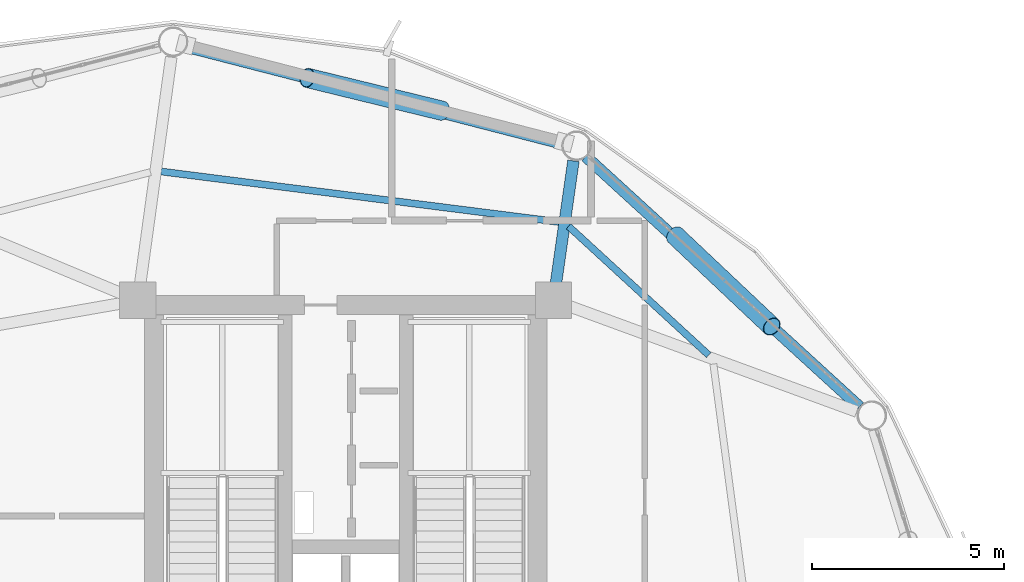
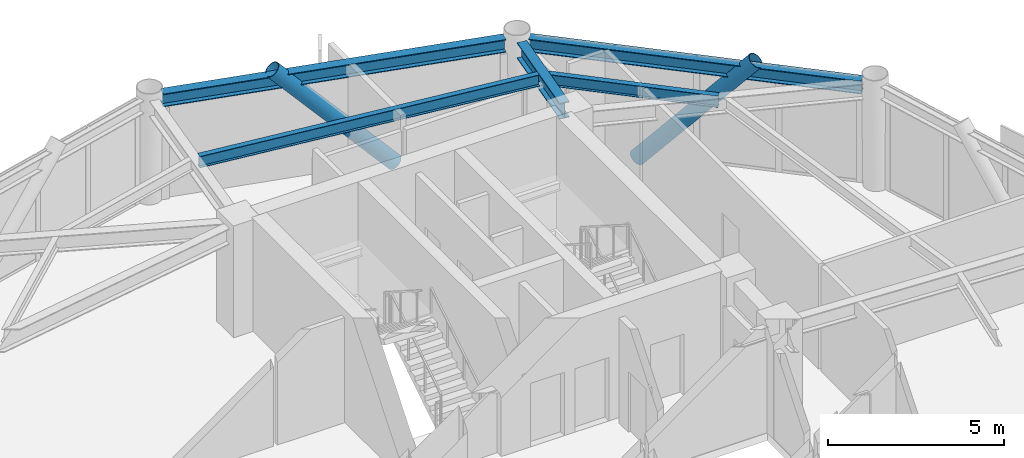
# One storey, part 17 of 25: 5 beams, 2 members.
"""IFC4 building model written with IfcOpenShell, lengths in metres."""

from ifc_helpers import new_model, si_unit, direction, frame, origin, origin_2d, place, context, subcontext, project, spatial, hollow_circle, i_section, extrude, material, material_profile, profile_set, type_object, element, save


model = new_model("IFC4")

# Units and contexts
model_context = context("Model", 3, precision=1e-05, world=origin(), true_north=direction((0.0, 1.0)))
body_context = subcontext(model_context, "Body", "Model", "MODEL_VIEW")
ifc_project = project(units=[si_unit("LENGTHUNIT", "METRE"), si_unit("AREAUNIT", "SQUARE_METRE"), si_unit("VOLUMEUNIT", "CUBIC_METRE"), si_unit("PLANEANGLEUNIT", "RADIAN"), si_unit("MASSUNIT", "GRAM", prefix="KILO")], contexts=[model_context])

# Site, building, storey
site_placement = place(None, origin())
site = spatial("IfcSite", under=ifc_project, at=site_placement, CompositionType="ELEMENT")
building_placement = place(site_placement, origin())
building = spatial("IfcBuilding", under=site, at=building_placement, Name="Varnakorn Sky Granary", CompositionType="ELEMENT")
storey_placement = place(building_placement, frame((0.0, 0.0, 126.60009765625)))
storey = spatial("IfcBuildingStorey", under=building, at=storey_placement, Name="L31", CompositionType="ELEMENT", Elevation=126.60009765625)

# Beams
ifc_material_1 = material(Name="Steel S355JR", Category="steel")
ifc_material_profile_1 = material_profile(ifc_material_1, i_section(OverallWidth=0.300048828125, OverallDepth=0.550048828125, WebThickness=0.014892578125, FlangeThickness=0.029052734375, at=origin_2d()), Name="HE 550 B")
ifc_profile_set_1 = profile_set([ifc_material_profile_1], Name="Steel S355JR")
beam_type_1 = type_object("IfcBeamType", Name="BM-RAD-Z3", PredefinedType="BEAM", material=ifc_profile_set_1)
beam_1_placement = place(storey_placement, frame((8.4794921875, 13.035888671875, 3.364990234375), z_axis=(0.141263811163, 0.989971987309, 0.0), x_axis=(-0.989971987309, 0.141263811163, 0.0)))
element("IfcBeam", 1, at=beam_1_placement, inside=storey, type_object=beam_type_1, Name="Radial Floor Girder RG03 L31", PredefinedType="BEAM", context=body_context, shape_type="SweptSolid", body=[
    extrude(i_section(OverallWidth=0.300048828125, OverallDepth=0.550048828125, WebThickness=0.014892578125, FlangeThickness=0.029052734375, at=origin_2d()), origin(), (0.0, 0.0, 1.0), 3.25439453125),
])
ifc_material_profile_2 = material_profile(ifc_material_1, i_section(OverallWidth=0.179931640625, OverallDepth=0.39990234375, WebThickness=0.008544921875, FlangeThickness=0.013427734375, at=origin_2d()), Name="IPE 400")
ifc_profile_set_2 = profile_set([ifc_material_profile_2], Name="Steel S355JR")
beam_type_2 = type_object("IfcBeamType", Name="BM-SEC-Z3", PredefinedType="BEAM", material=ifc_profile_set_2)
beam_2_placement = place(storey_placement, frame((12.4677734375, 11.193115234375, 3.43994140625), z_axis=(-0.736328845216, 0.676623848015, 0.0), x_axis=(-0.676623848015, -0.736328845216, 0.0)))
element("IfcBeam", 2, at=beam_2_placement, inside=storey, type_object=beam_type_2, Name="Secondary Floor Chord Beam MSB02 L31", PredefinedType="BEAM", context=body_context, shape_type="SweptSolid", body=[
    extrude(i_section(OverallWidth=0.179931640625, OverallDepth=0.39990234375, WebThickness=0.008544921875, FlangeThickness=0.013427734375, at=origin_2d()), origin(), (0.0, 0.0, 1.0), 4.964111328125),
])
beam_3_placement = place(storey_placement, frame((8.570556640625, 14.664306640625, 3.43994140625), z_axis=(-0.992048429741, 0.125856716344, 0.0), x_axis=(-0.125856716344, -0.992048429741, 0.0)))
element("IfcBeam", 3, at=beam_3_placement, inside=storey, type_object=beam_type_2, Name="Secondary Floor Chord Beam MSB03 L31", PredefinedType="BEAM", context=body_context, shape_type="SweptSolid", body=[
    extrude(i_section(OverallWidth=0.179931640625, OverallDepth=0.39990234375, WebThickness=0.008544921875, FlangeThickness=0.013427734375, at=origin_2d()), origin(), (0.0, 0.0, 1.0), 10.47119140625),
])
ifc_material_profile_3 = material_profile(ifc_material_1, i_section(OverallWidth=0.300048828125, OverallDepth=0.449951171875, WebThickness=0.013916015625, FlangeThickness=0.02587890625, at=origin_2d()), Name="HE 450 B")
ifc_profile_set_3 = profile_set([ifc_material_profile_3], Name="Steel S355JR")
beam_type_3 = type_object("IfcBeamType", Name="BM-SPD-Z3", PredefinedType="SPANDREL", material=ifc_profile_set_3)
beam_4_placement = place(storey_placement, frame((16.40087890625, 9.842529296875, 3.414794921875), z_axis=(-0.737906735451, 0.674902696524, 0.0), x_axis=(-0.674902696524, -0.737906735451, 0.0)))
element("IfcBeam", 4, at=beam_4_placement, inside=storey, type_object=beam_type_3, Name="Perimeter Spandrel Ring Beam RB02 L31", PredefinedType="SPANDREL", context=body_context, shape_type="SweptSolid", body=[
    extrude(i_section(OverallWidth=0.300048828125, OverallDepth=0.449951171875, WebThickness=0.013916015625, FlangeThickness=0.02587890625, at=origin_2d()), origin(), (0.0, 0.0, 1.0), 9.67578125),
])
beam_5_placement = place(storey_placement, frame((8.63671875, 16.711181640625, 3.414794921875), z_axis=(-0.968301462066, 0.249784464209, 0.0), x_axis=(-0.249784464209, -0.968301462066, 0.0)))
element("IfcBeam", 5, at=beam_5_placement, inside=storey, type_object=beam_type_3, Name="Perimeter Spandrel Ring Beam RB03 L31", PredefinedType="SPANDREL", context=body_context, shape_type="SweptSolid", body=[
    extrude(i_section(OverallWidth=0.300048828125, OverallDepth=0.449951171875, WebThickness=0.013916015625, FlangeThickness=0.02587890625, at=origin_2d()), origin(), (0.0, 0.0, 1.0), 10.1025390625),
])

# Members
ifc_material_2 = material(Name="Steel S460M", Category="steel")
ifc_material_profile_4 = material_profile(ifc_material_2, hollow_circle(Radius=0.25390625, WallThickness=0.01806640625, at=origin_2d()), Name="CHS 508x18")
ifc_profile_set_4 = profile_set([ifc_material_profile_4], Name="Steel S460M")
member_type = type_object("IfcMemberType", Name="MB-DIAG-T2", PredefinedType="BRACE", material=ifc_profile_set_4)
member_1_placement = place(storey_placement, frame((11.592041015625, 14.314208984375, -0.130126953125), z_axis=(0.481532824977, -0.454462064243, 0.749393335061), x_axis=(0.68636889604, 0.727253558636, 0.0)))
element("IfcMember", 6, at=member_1_placement, inside=storey, type_object=member_type, Name="Perimeter CHS Diagrid Brace DG02 L31", PredefinedType="BRACE", context=body_context, shape_type="SweptSolid", body=[
    extrude(hollow_circle(Radius=0.25390625, WallThickness=0.01806640625, at=origin_2d()), origin(), (0.0, 0.0, 1.0), 5.230712890625),
])
member_2_placement = place(storey_placement, frame((5.51611328125, 17.565673828125, -0.130126953125), z_axis=(-0.659335647816, 0.160831423458, 0.734445203367), x_axis=(-0.23698100599, -0.971514283374, 0.0)))
element("IfcMember", 7, at=member_2_placement, inside=storey, type_object=member_type, Name="Perimeter CHS Diagrid Brace DG03 L31", PredefinedType="BRACE", context=body_context, shape_type="SweptSolid", body=[
    extrude(hollow_circle(Radius=0.25390625, WallThickness=0.01806640625, at=origin_2d()), origin(), (0.0, 0.0, 1.0), 5.337158203125),
])

save(model, "model.ifc")
